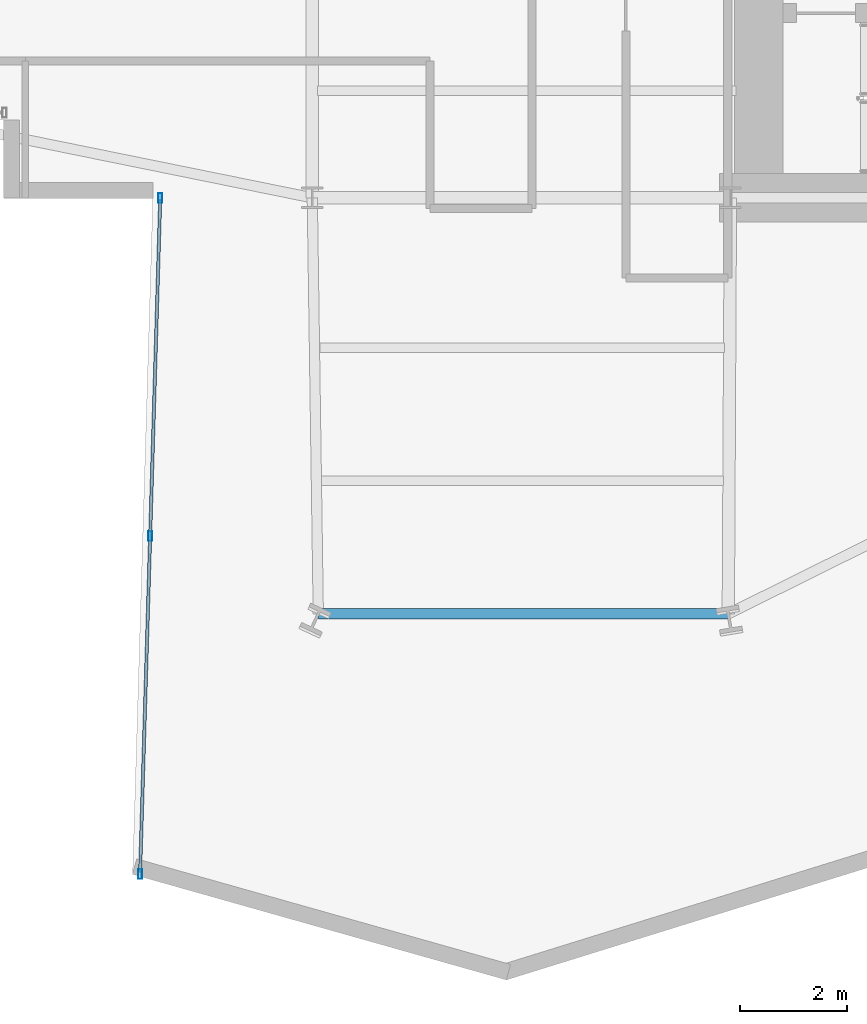
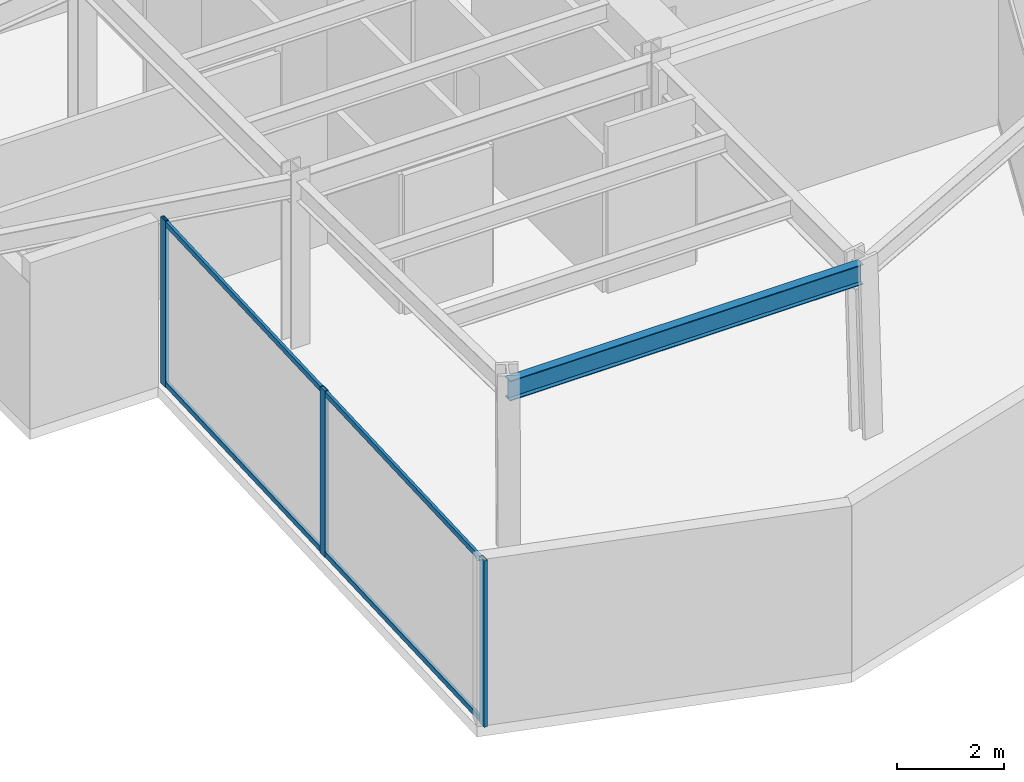
# One storey, part 4 of 28: 5 members, 1 beam, 1 element without a shape of its own.
"""IFC4 building model written with IfcOpenShell, lengths in metres."""

from ifc_helpers import new_model, si_unit, direction, frame, origin, origin_2d, place, context, subcontext, project, spatial, hollow_rectangle, i_section, extrude, material, layer, layer_set, material_profile, profile_set, type_object, element, aggregate, save


model = new_model("IFC4")

# Units and contexts
model_context = context("Model", 3, precision=1e-05, world=origin(), true_north=direction((0.0, 1.0)))
body_context = subcontext(model_context, "Body", "Model", "MODEL_VIEW")
ifc_project = project(units=[si_unit("LENGTHUNIT", "METRE"), si_unit("AREAUNIT", "SQUARE_METRE"), si_unit("VOLUMEUNIT", "CUBIC_METRE"), si_unit("PLANEANGLEUNIT", "RADIAN"), si_unit("MASSUNIT", "GRAM", prefix="KILO")], contexts=[model_context])

# Site, building, storey
site_placement = place(None, origin())
site = spatial("IfcSite", under=ifc_project, at=site_placement, CompositionType="ELEMENT")
building_placement = place(site_placement, origin())
building = spatial("IfcBuilding", under=site, at=building_placement, Name="Veymaron Broadcast Tower", CompositionType="ELEMENT")
storey_placement = place(building_placement, frame((0.0, 0.0, 45.89990234375)))
storey = spatial("IfcBuildingStorey", under=building, at=storey_placement, Name="L09", CompositionType="ELEMENT", Elevation=45.89990234375)

# Beam
ifc_material_1 = material(Name="Structural steel ASTM A992 Gr 50", Category="steel")
ifc_material_profile_1 = material_profile(ifc_material_1, i_section(OverallWidth=0.19091796875, OverallDepth=0.4599609375, WebThickness=0.010009765625, FlangeThickness=0.01611328125, at=origin_2d()), Name="W460X82")
ifc_profile_set_1 = profile_set([ifc_material_profile_1], Name="Structural steel ASTM A992 Gr 50")
beam_type = type_object("IfcBeamType", Name="BM-SP1", PredefinedType="SPANDREL", material=ifc_profile_set_1)
beam_placement = place(storey_placement, frame((31.31201171875, 8.239990234375, 3.580078125), z_axis=(1.0, 0.0, 0.0), x_axis=(0.0, 1.0, 0.0)))
element("IfcBeam", 1, at=beam_placement, inside=storey, type_object=beam_type, Name="L09 primary structural floor girder", PredefinedType="SPANDREL", context=body_context, shape_type="SweptSolid", body=[
    extrude(i_section(OverallWidth=0.19091796875, OverallDepth=0.4599609375, WebThickness=0.010009765625, FlangeThickness=0.01611328125, at=origin_2d()), origin(), (0.0, 0.0, 1.0), 7.64794921875),
])

# Curtain wall, members
ifc_material_2 = material(Name="Anodised aluminium AA 6063-T6 and laminated low-E dark glass", Category="aluminium")
ifc_layer = layer(ifc_material_2, 0.179931640625)
ifc_layer_set = layer_set([ifc_layer], Name="Anodised aluminium AA 6063-T6 and laminated low-E dark glass")
curtain_wall_type = type_object("IfcCurtainWallType", Name="CW-SYS-02", PredefinedType="NOTDEFINED", material=ifc_layer_set)
curtain_wall_placement = place(storey_placement, origin())
curtain_wall = element("IfcCurtainWall", 2, at=curtain_wall_placement, inside=storey, type_object=curtain_wall_type, Name="L09 dark-glass curtain wall CW-L09-E17-1", PredefinedType="NOTDEFINED")
ifc_material_3 = material(Name="Anodised aluminium AA 6063-T6", Category="aluminium")
ifc_material_profile_2 = material_profile(ifc_material_3, hollow_rectangle(XDim=0.074951171875, YDim=0.179931640625, WallThickness=0.0048828125, at=origin_2d()), Name="AL180X75X5")
ifc_profile_set_2 = profile_set([ifc_material_profile_2], Name="Anodised aluminium AA 6063-T6")
member_type_1 = type_object("IfcMemberType", Name="CW-MUL-02", PredefinedType="MULLION", material=ifc_profile_set_2)
member_1_placement = place(storey_placement, frame((28.364013671875, 15.995849609375, 0.0), z_axis=(0.0, 0.0, 1.0), x_axis=(1.0, 0.0, 0.0)))
member_1 = element("IfcMember", 3, at=member_1_placement, type_object=member_type_1, Name="CW-L09-E17-1 mullion 0", PredefinedType="MULLION", context=body_context, shape_type="SweptSolid", body=[
    extrude(hollow_rectangle(XDim=0.074951171875, YDim=0.179931640625, WallThickness=0.0048828125, at=origin_2d()), origin(), (0.0, 0.0, 1.0), 3.81005859375),
])
member_2_placement = place(storey_placement, frame((28.175537109375, 9.690185546875, 0.0), z_axis=(0.0, 0.0, 1.0), x_axis=(1.0, 0.0, 0.0)))
member_2 = element("IfcMember", 4, at=member_2_placement, type_object=member_type_1, Name="CW-L09-E17-1 mullion 1", PredefinedType="MULLION", context=body_context, shape_type="SweptSolid", body=[
    extrude(hollow_rectangle(XDim=0.074951171875, YDim=0.179931640625, WallThickness=0.0048828125, at=origin_2d()), origin(), (0.0, 0.0, 1.0), 3.81005859375),
])
member_3_placement = place(storey_placement, frame((27.9873046875, 3.384765625, 0.0), z_axis=(0.0, 0.0, 1.0), x_axis=(1.0, 0.0, 0.0)))
member_3 = element("IfcMember", 5, at=member_3_placement, type_object=member_type_1, Name="CW-L09-E17-1 mullion 2", PredefinedType="MULLION", context=body_context, shape_type="SweptSolid", body=[
    extrude(hollow_rectangle(XDim=0.074951171875, YDim=0.179931640625, WallThickness=0.0048828125, at=origin_2d()), origin(), (0.0, 0.0, 1.0), 3.81005859375),
])
ifc_material_profile_3 = material_profile(ifc_material_3, hollow_rectangle(XDim=0.06005859375, YDim=0.1201171875, WallThickness=0.00390625, at=origin_2d()), Name="AL120X60X4")
ifc_profile_set_3 = profile_set([ifc_material_profile_3], Name="Anodised aluminium AA 6063-T6")
member_type_2 = type_object("IfcMemberType", Name="CW-TRN-02", PredefinedType="USERDEFINED", material=ifc_profile_set_3)
member_4_placement = place(storey_placement, frame((28.362548828125, 15.94580078125, 0.070068359375), z_axis=(-0.029862760986, -0.999554008299, 0.0), x_axis=(0.999554008299, -0.029862760986, 0.0)))
member_4 = element("IfcMember", 6, at=member_4_placement, type_object=member_type_2, Name="CW-L09-E17-1 transom B", ObjectType="TRANSOM", PredefinedType="USERDEFINED", context=body_context, shape_type="SweptSolid", body=[
    extrude(hollow_rectangle(XDim=0.06005859375, YDim=0.1201171875, WallThickness=0.00390625, at=origin_2d()), origin(), (0.0, 0.0, 1.0), 12.5166015625),
])
member_5_placement = place(storey_placement, frame((28.362548828125, 15.94580078125, 3.739990234375), z_axis=(-0.029862760986, -0.999554008299, 0.0), x_axis=(0.999554008299, -0.029862760986, 0.0)))
member_5 = element("IfcMember", 7, at=member_5_placement, type_object=member_type_2, Name="CW-L09-E17-1 transom T", ObjectType="TRANSOM", PredefinedType="USERDEFINED", context=body_context, shape_type="SweptSolid", body=[
    extrude(hollow_rectangle(XDim=0.06005859375, YDim=0.1201171875, WallThickness=0.00390625, at=origin_2d()), origin(), (0.0, 0.0, 1.0), 12.5166015625),
])
aggregate(curtain_wall, [member_1, member_2, member_3, member_4, member_5])

save(model, "model.ifc")
